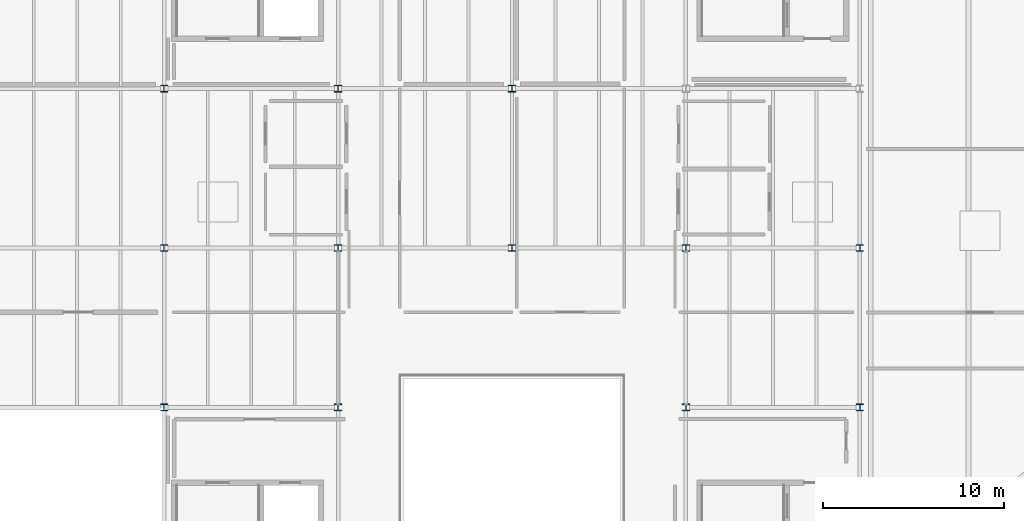
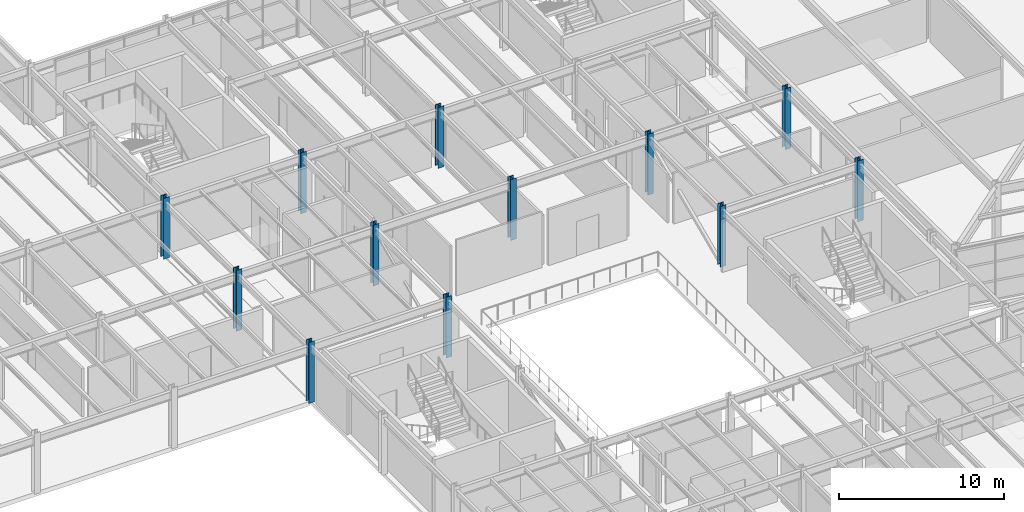
# One storey, part 10 of 77: 12 columns.
"""IFC4 building model written with IfcOpenShell, lengths in metres."""

from ifc_helpers import new_model, si_unit, direction, frame, origin, origin_2d, place, context, subcontext, project, spatial, i_section, extrude, material, material_profile, profile_set, type_object, element, save


model = new_model("IFC4")

# Units and contexts
model_context = context("Model", 3, precision=1e-05, world=origin(), true_north=direction((0.0, 1.0)))
body_context = subcontext(model_context, "Body", "Model", "MODEL_VIEW")
ifc_project = project(units=[si_unit("LENGTHUNIT", "METRE"), si_unit("AREAUNIT", "SQUARE_METRE"), si_unit("VOLUMEUNIT", "CUBIC_METRE"), si_unit("PLANEANGLEUNIT", "RADIAN"), si_unit("MASSUNIT", "GRAM", prefix="KILO")], contexts=[model_context])

# Site, building, storey
site_placement = place(None, origin())
site = spatial("IfcSite", under=ifc_project, at=site_placement, CompositionType="ELEMENT")
building_placement = place(site_placement, origin())
building = spatial("IfcBuilding", under=site, at=building_placement, Name="Sarnbrook Museum", CompositionType="ELEMENT")
storey_placement = place(building_placement, frame((0.0, 0.0, 5.60009765625)))
storey = spatial("IfcBuildingStorey", under=building, at=storey_placement, Name="L01", CompositionType="ELEMENT", Elevation=5.60009765625)

# Columns
ifc_material = material(Name="Structural Steel Grade 350L0 (AS/NZS 3678, fy = 340 MPa for 20 < t <= 40 mm)", Category="steel")
ifc_material_profile = material_profile(ifc_material, i_section(OverallWidth=0.39990234375, OverallDepth=0.382080078125, WebThickness=0.02490234375, FlangeThickness=0.035888671875, at=origin_2d()), Name="400WC270")
ifc_profile_set = profile_set([ifc_material_profile], Name="Structural Steel Grade 350L0 (AS/NZS 3678, fy = 340 MPa for 20 < t <= 40 mm)")
column_type = type_object("IfcColumnType", Name="COL-WC400", PredefinedType="COLUMN", material=ifc_profile_set)
for number, where, z_axis, x_axis, name in (
    (1, (90.39990234375, 74.39990234375, 0.0), (0.0, 0.0, 1.0), (1.0, 0.0, 0.0), "Column 10-J L01"),
    (2, (90.39990234375, 83.199951171875, 0.0), (0.0, 0.0, 1.0), (1.0, 0.0, 0.0), "Column 10-K L01"),
    (3, (90.39990234375, 92.0, 0.0), (0.0, 0.0, 1.0), (1.0, 0.0, 0.0), "Column 10-L L01"),
    (4, (100.0, 83.199951171875, 0.0), (0.0, 0.0, 1.0), (1.0, 0.0, 0.0), "Column 11-K L01"),
    (5, (100.0, 92.0, 0.0), (0.0, 0.0, 1.0), (1.0, 0.0, 0.0), "Column 11-L L01"),
    (6, (109.60009765625, 74.39990234375, 0.0), (0.0, 0.0, 1.0), (1.0, 0.0, 0.0), "Column 12-J L01"),
    (7, (109.60009765625, 83.199951171875, 0.0), (0.0, 0.0, 1.0), (1.0, 0.0, 0.0), "Column 12-K L01"),
    (8, (119.199951171875, 74.39990234375, 0.0), (0.0, 0.0, 1.0), (1.0, 0.0, 0.0), "Column 13-J L01"),
    (9, (119.199951171875, 83.199951171875, 0.0), (0.0, 0.0, 1.0), (1.0, 0.0, 0.0), "Column 13-K L01"),
    (10, (80.800048828125, 74.39990234375, 0.0), (0.0, 0.0, 1.0), (1.0, 0.0, 0.0), "Column 9-J L01"),
    (11, (80.800048828125, 83.199951171875, 0.0), (0.0, 0.0, 1.0), (1.0, 0.0, 0.0), "Column 9-K L01"),
    (12, (80.800048828125, 92.0, 0.0), (0.0, 0.0, 1.0), (1.0, 0.0, 0.0), "Column 9-L L01"),
):
    element("IfcColumn", number, at=place(storey_placement, frame(where, z_axis=z_axis, x_axis=x_axis)), inside=storey, type_object=column_type, Name=name, PredefinedType="COLUMN", context=body_context, shape_type="SweptSolid", body=[
        extrude(i_section(OverallWidth=0.39990234375, OverallDepth=0.382080078125, WebThickness=0.02490234375, FlangeThickness=0.035888671875, at=origin_2d()), origin(), (0.0, 0.0, 1.0), 4.5),
    ])

save(model, "model.ifc")
